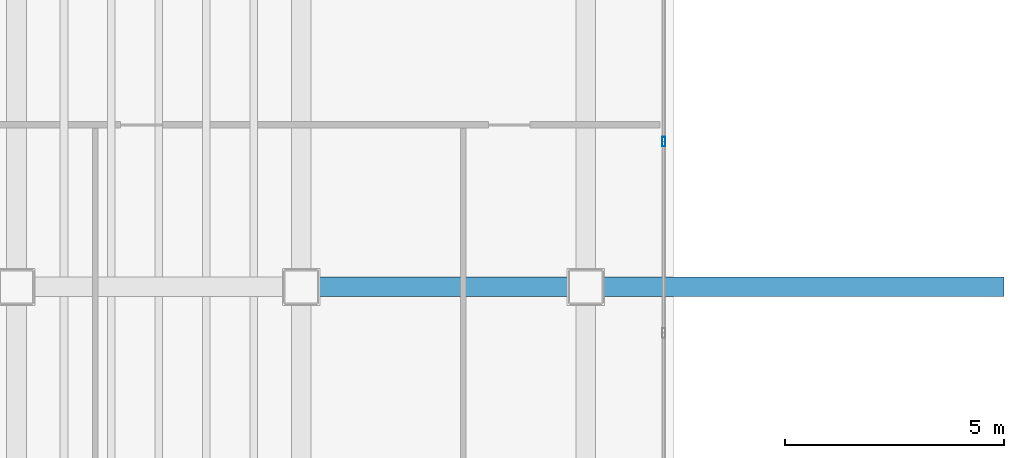
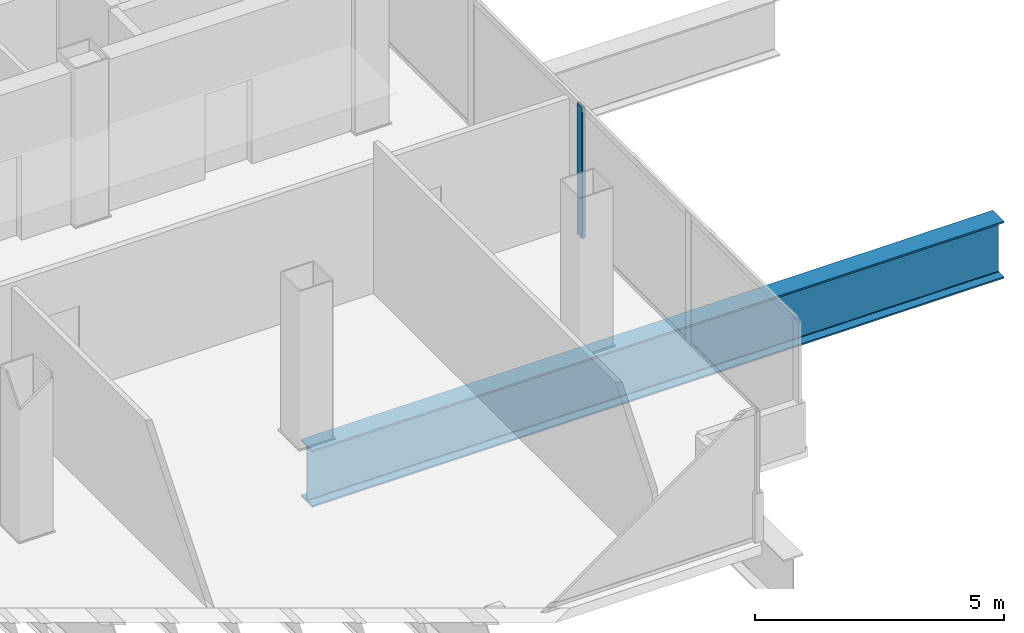
# One storey, part 15 of 22: 1 beam, 1 member, 1 element without a shape of its own.
"""IFC4 building model written with IfcOpenShell, lengths in metres."""

from ifc_helpers import new_model, si_unit, direction, frame, origin, origin_2d, place, context, subcontext, project, spatial, hollow_rectangle, i_section, extrude, material, material_profile, profile_set, type_object, element, aggregate, save


model = new_model("IFC4")

# Units and contexts
model_context = context("Model", 3, precision=1e-05, world=origin(), true_north=direction((0.0, 1.0)))
body_context = subcontext(model_context, "Body", "Model", "MODEL_VIEW")
ifc_project = project(units=[si_unit("LENGTHUNIT", "METRE"), si_unit("AREAUNIT", "SQUARE_METRE"), si_unit("VOLUMEUNIT", "CUBIC_METRE"), si_unit("PLANEANGLEUNIT", "RADIAN"), si_unit("MASSUNIT", "GRAM", prefix="KILO")], contexts=[model_context])

# Site, building, storey
site_placement = place(None, origin())
site = spatial("IfcSite", under=ifc_project, at=site_placement, CompositionType="ELEMENT")
building_placement = place(site_placement, origin())
building = spatial("IfcBuilding", under=site, at=building_placement, Name="Noeulbin Bourse Tower", CompositionType="ELEMENT")
storey_placement = place(building_placement, frame((0.0, 0.0, 230.60009765625)))
storey = spatial("IfcBuildingStorey", under=building, at=storey_placement, Name="L57", CompositionType="ELEMENT", Elevation=230.60009765625)

# Beam
ifc_material_1 = material(Name="Steel S460", Category="steel")
ifc_material_profile_1 = material_profile(ifc_material_1, i_section(OverallWidth=0.449951171875, OverallDepth=1.39990234375, WebThickness=0.02392578125, FlangeThickness=0.0400390625, FilletRadius=0.02392578125, at=origin_2d()), Name="PG-1400x450x24x40", Category="LoadBearing")
ifc_profile_set_1 = profile_set([ifc_material_profile_1], Name="Steel S460")
beam_type = type_object("IfcBeamType", Name="BM-TRF-1400", PredefinedType="USERDEFINED", material=ifc_profile_set_1)
beam_placement = place(storey_placement, frame((37.5, 20.0, -0.940185546875), z_axis=(1.0, 0.0, 0.0), x_axis=(0.0, 1.0, 0.0)))
element("IfcBeam", 1, at=beam_placement, inside=storey, type_object=beam_type, Name="Tower Primary Girder EW L57-1.7", ObjectType="GIRDER", PredefinedType="USERDEFINED", context=body_context, shape_type="SweptSolid", body=[
    extrude(i_section(OverallWidth=0.449951171875, OverallDepth=1.39990234375, WebThickness=0.02392578125, FlangeThickness=0.0400390625, FilletRadius=0.02392578125, at=origin_2d()), origin(), (0.0, 0.0, 1.0), 16.050048828125),
])

# Curtain wall, member
ifc_material_2 = material(Name="High-Selectivity Low-Iron Glazing", Category="glass")
curtain_wall_type = type_object("IfcCurtainWallType", Name="CW-SYS-4", PredefinedType="NOTDEFINED", material=ifc_material_2)
curtain_wall_placement = place(storey_placement, origin())
curtain_wall = element("IfcCurtainWall", 2, at=curtain_wall_placement, inside=storey, type_object=curtain_wall_type, Name="Unitised Curtain Wall CW-L57-E", PredefinedType="NOTDEFINED")
ifc_material_3 = material(Name="Anodised Aluminium 6063-T6", Category="aluminium")
ifc_material_profile_2 = material_profile(ifc_material_3, hollow_rectangle(XDim=0.074951171875, YDim=0.219970703125, WallThickness=0.0048828125, InnerFilletRadius=0.00244140625, OuterFilletRadius=0.0048828125, at=origin_2d()), Name="ALU-MULL-75x220x5", Category="LoadBearing")
ifc_profile_set_2 = profile_set([ifc_material_profile_2], Name="Anodised Aluminium 6063-T6")
member_type = type_object("IfcMemberType", Name="CW-SYS-4-MUL", PredefinedType="MULLION", material=ifc_profile_set_2)
member_placement = place(storey_placement, frame((45.780029296875, 23.31591796875, -0.02001953125), z_axis=(0.0, 0.0, 1.0), x_axis=(1.0, 0.0, 0.0)))
member = element("IfcMember", 3, at=member_placement, type_object=member_type, Name="Curtain Wall Mullion CW-L57-E-M02", PredefinedType="MULLION", context=body_context, shape_type="SweptSolid", body=[
    extrude(hollow_rectangle(XDim=0.074951171875, YDim=0.219970703125, WallThickness=0.0048828125, InnerFilletRadius=0.00244140625, OuterFilletRadius=0.0048828125, at=origin_2d()), origin(), (0.0, 0.0, 1.0), 3.219970703125),
])
aggregate(curtain_wall, [member])

save(model, "model.ifc")
